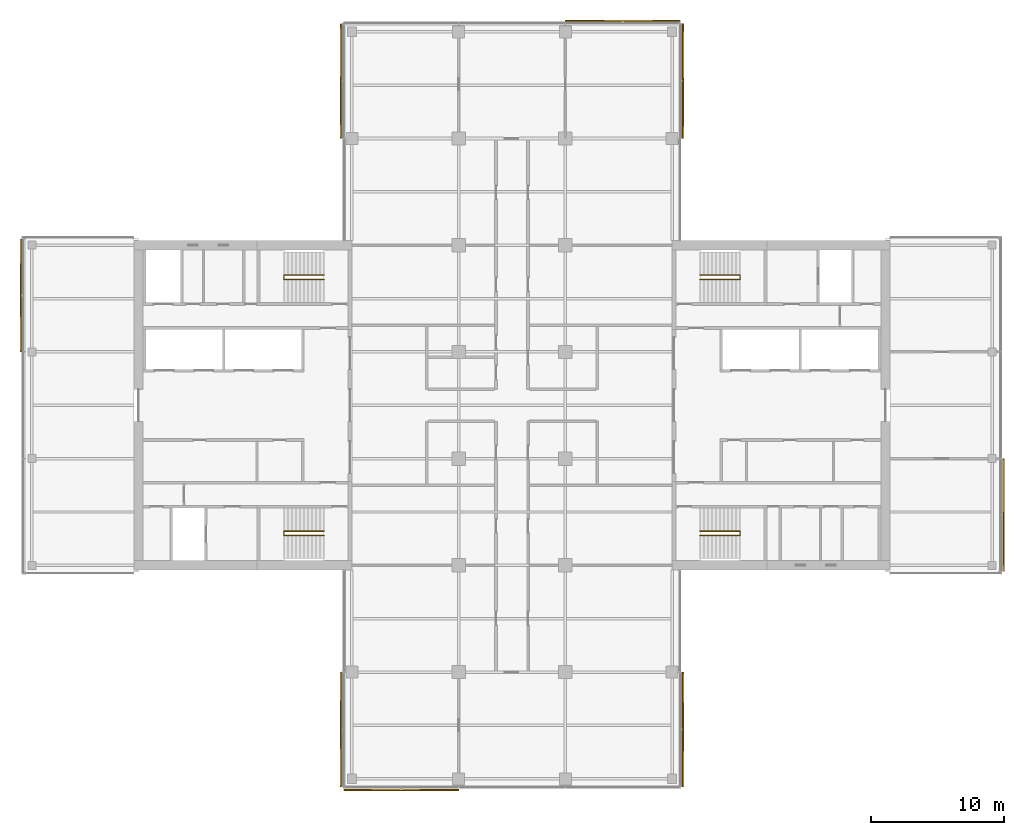
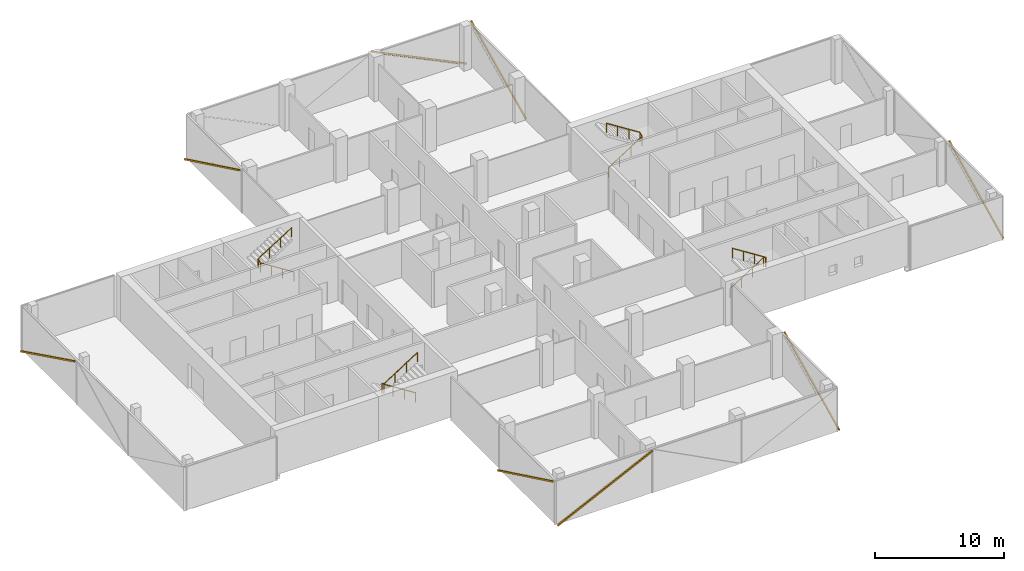
# One storey, part 22 of 22: 8 shading devices, 4 railings, 8 elements without a shape of their own.
"""IFC4 building model written with IfcOpenShell, lengths in metres."""

import ifcopenshell
import ifcopenshell.guid

model = None  # the IFC model being written
_history = None  # IfcOwnerHistory: only IFC2X3 demands one
_inside = {}  # id of a spatial element -> (the spatial element, [elements in it])
_under = {}  # id of a project, library or spatial element -> (it, [spatial elements below it])
_declared = {}  # id of a project -> (the project, [libraries it declares])
_typed = {}  # id of a type object -> (the type object, [elements of that type])
_made_of = {}  # id of a material, layer set ... -> (it, [elements and type objects made of it])


def new_model(schema):
    """Start an empty IFC model of exactly this schema.

    Asked for "IFC4X3", IfcOpenShell would pick the latest addendum, in which some entities
    have other attributes; the version numbers below select the first issue.
    IFC2X3 requires an IfcOwnerHistory on every rooted entity: one is made here for all.
    """
    global model, _history
    if schema == "IFC4X3":
        model = ifcopenshell.file(schema_version=(4, 3, 0, 0))
    else:
        model = ifcopenshell.file(schema=schema)
    _inside.clear()
    _under.clear()
    _declared.clear()
    _typed.clear()
    _made_of.clear()
    _history = None
    if model.schema == "IFC2X3":
        org = make("IfcOrganization", Name="unknown")
        user = make(
            "IfcPersonAndOrganization",
            ThePerson=make("IfcPerson", FamilyName="unknown"),
            TheOrganization=org,
        )
        app = make(
            "IfcApplication",
            ApplicationDeveloper=org,
            Version="unknown",
            ApplicationFullName="unknown",
            ApplicationIdentifier="unknown",
        )
        _history = make(
            "IfcOwnerHistory",
            OwningUser=user,
            OwningApplication=app,
            ChangeAction="ADDED",
            CreationDate=0,
        )
    return model


def make(cls, **values):
    """One entity of the class cls with the attributes given. An attribute that is None is left unset."""
    return model.create_entity(
        cls, **{name: value for name, value in values.items() if value is not None}
    )


def rooted(cls, **values):
    """An entity with a GlobalId (a new one), such as an element, a storey or a relation."""
    return make(cls, GlobalId=ifcopenshell.guid.new(), OwnerHistory=_history, **values)


def si_unit(unit_type, name, prefix=None):
    """IfcSIUnit, for example si_unit("LENGTHUNIT", "METRE", prefix="MILLI")."""
    return make("IfcSIUnit", UnitType=unit_type, Prefix=prefix, Name=name)


def assignment(units):
    """IfcUnitAssignment: the units of a project."""
    return None if units is None else make("IfcUnitAssignment", Units=units)


def point(xyz):
    """IfcCartesianPoint."""
    return None if xyz is None else make("IfcCartesianPoint", Coordinates=xyz)


def direction(xyz):
    """IfcDirection."""
    return None if xyz is None else make("IfcDirection", DirectionRatios=xyz)


def frame(location, z_axis=None, x_axis=None):
    """IfcAxis2Placement3D, a coordinate frame: its origin and axes. An axis left out is left unset."""
    return make(
        "IfcAxis2Placement3D",
        Location=point(location),
        Axis=direction(z_axis),
        RefDirection=direction(x_axis),
    )


def frame_2d(location, x_axis=None):
    """IfcAxis2Placement2D, a coordinate frame in the plane: its origin and x axis."""
    return make(
        "IfcAxis2Placement2D", Location=point(location), RefDirection=direction(x_axis)
    )


def origin():
    """The frame at (0, 0, 0) with its axes left unset."""
    return frame((0.0, 0.0, 0.0))


def origin_2d():
    """The frame at (0, 0) in the plane with its x axis left unset."""
    return frame_2d((0.0, 0.0))


def place(relative_to, where):
    """IfcLocalPlacement: puts the frame where relative to a parent placement (None: the world)."""
    return make(
        "IfcLocalPlacement", PlacementRelTo=relative_to, RelativePlacement=where
    )


def context(
    kind, dimensions, precision=None, world=None, true_north=None, identifier=None
):
    """IfcGeometricRepresentationContext, for example the 3D "Model" context."""
    return make(
        "IfcGeometricRepresentationContext",
        ContextIdentifier=identifier,
        ContextType=kind,
        CoordinateSpaceDimension=dimensions,
        Precision=precision,
        WorldCoordinateSystem=world,
        TrueNorth=true_north,
    )


def subcontext(parent, identifier, kind, view, scale=None):
    """IfcGeometricRepresentationSubContext, for example "Body" below "Model"."""
    return make(
        "IfcGeometricRepresentationSubContext",
        ContextIdentifier=identifier,
        ContextType=kind,
        ParentContext=parent,
        TargetScale=scale,
        TargetView=view,
    )


def project(units=None, contexts=None):
    """IfcProject with its units and contexts."""
    return rooted(
        "IfcProject",
        Name="project",
        RepresentationContexts=contexts,
        UnitsInContext=assignment(units),
    )


def spatial(cls, under=None, at=None, **own):
    """A site, building, storey or space (cls), placed at a placement, below another one or the project."""
    s = rooted(cls, ObjectPlacement=at, **own)
    if under is not None:
        _under.setdefault(under.id(), (under, []))[1].append(s)
    return s


def profile(cls, at=None, kind="AREA", **sizes):
    """A parametric profile (cls). Its sizes go by their IFC names, for example OverallWidth=200.0."""
    return make(cls, ProfileType=kind, Position=at, **sizes)


def rectangle(**sizes):
    """IfcRectangleProfileDef."""
    return profile("IfcRectangleProfileDef", **sizes)


def circle(**sizes):
    """IfcCircleProfileDef."""
    return profile("IfcCircleProfileDef", **sizes)


def extrude(swept, where, along, depth):
    """IfcExtrudedAreaSolid: the profile swept, set in the frame where, extruded along a direction by depth."""
    return make(
        "IfcExtrudedAreaSolid",
        SweptArea=swept,
        Position=where,
        ExtrudedDirection=direction(along),
        Depth=depth,
    )


def shape(context_of_items, identifier, shape_type, items):
    """IfcShapeRepresentation: the items that make up one representation, for example the "Body"."""
    return make(
        "IfcShapeRepresentation",
        ContextOfItems=context_of_items,
        RepresentationIdentifier=identifier,
        RepresentationType=shape_type,
        Items=items,
    )


def material(Name=None, Category=None):
    """IfcMaterial."""
    return make("IfcMaterial", Name=Name, Category=Category)


def material_profile(
    of_material, cross_section, Name=None, Category=None, Priority=None
):
    """IfcMaterialProfile: a cross section and its material."""
    return make(
        "IfcMaterialProfile",
        Name=Name,
        Material=of_material,
        Profile=cross_section,
        Priority=Priority,
        Category=Category,
    )


def profile_set(profiles, Name=None, composite=None):
    """IfcMaterialProfileSet."""
    return make(
        "IfcMaterialProfileSet",
        Name=Name,
        MaterialProfiles=profiles,
        CompositeProfile=composite,
    )


def made_of(thing, what):
    """Note that an element or type object is made of a material, layer set ...; save() writes the relation."""
    if what is not None:
        _made_of.setdefault(what.id(), (what, []))[1].append(thing)
    return thing


def type_object(cls, material=None, **own):
    """A type object (cls), such as IfcWallType, which elements share."""
    return made_of(rooted(cls, **own), material)


def element(
    cls,
    number,
    at=None,
    inside=None,
    cuts=None,
    type_object=None,
    material=None,
    context=None,
    identifier="Body",
    shape_type=None,
    held_by="IfcProductDefinitionShape",
    body=None,
    shapes=None,
    **own,
):
    """One element of the class cls, such as IfcWall. Its Tag is "e" and its number.

    at: its placement. inside: the storey or other place that contains it. cuts: it is an
    opening in that element (IfcRelVoidsElement). A single representation is given by context,
    identifier, shape_type and body (its items); several are given by shapes. held_by: the class
    of the entity that holds the representations. save() writes the other relations.
    """
    e = rooted(cls, Tag="e%d" % number, ObjectPlacement=at, **own)
    if body is not None:
        shapes = [shape(context, identifier, shape_type, body)]
    if shapes is not None:
        e.Representation = make(held_by, Representations=shapes)
    if inside is not None:
        _inside.setdefault(inside.id(), (inside, []))[1].append(e)
    if cuts is not None:
        rooted(
            "IfcRelVoidsElement", RelatingBuildingElement=cuts, RelatedOpeningElement=e
        )
    if type_object is not None:
        _typed.setdefault(type_object.id(), (type_object, []))[1].append(e)
    return made_of(e, material)


def aggregate(whole, parts):
    """IfcRelAggregates: a whole, such as a stair, and the parts it consists of."""
    return rooted("IfcRelAggregates", RelatingObject=whole, RelatedObjects=parts)


def save(model, path):
    """Write the relations noted so far, then the file.

    IfcRelAggregates (storeys below a building ...), IfcRelContainedInSpatialStructure (elements
    in a storey), IfcRelDefinesByType, IfcRelAssociatesMaterial and IfcRelDeclares: one each for
    every whole, place, type object, material and project.
    """
    for whole, parts in _under.values():
        aggregate(whole, parts)
    for where, things in _inside.values():
        rooted(
            "IfcRelContainedInSpatialStructure",
            RelatedElements=things,
            RelatingStructure=where,
        )
    for kind, things in _typed.values():
        rooted("IfcRelDefinesByType", RelatedObjects=things, RelatingType=kind)
    for what, things in _made_of.values():
        rooted("IfcRelAssociatesMaterial", RelatedObjects=things, RelatingMaterial=what)
    for by, libraries in _declared.values():
        rooted("IfcRelDeclares", RelatingContext=by, RelatedDefinitions=libraries)
    model.write(path)


model = new_model("IFC4")

# Units and contexts
model_context = context("Model", 3, precision=1e-05, world=origin(), true_north=direction((0.0, 1.0)))
body_context = subcontext(model_context, "Body", "Model", "MODEL_VIEW")
ifc_project = project(units=[si_unit("LENGTHUNIT", "METRE"), si_unit("AREAUNIT", "SQUARE_METRE"), si_unit("VOLUMEUNIT", "CUBIC_METRE"), si_unit("PLANEANGLEUNIT", "RADIAN"), si_unit("MASSUNIT", "GRAM", prefix="KILO")], contexts=[model_context])

# Site, building, storey
site_placement = place(None, origin())
site = spatial("IfcSite", under=ifc_project, at=site_placement, CompositionType="ELEMENT")
building_placement = place(site_placement, origin())
building = spatial("IfcBuilding", under=site, at=building_placement, Name="Crosswind Convention Tower", CompositionType="ELEMENT")
storey_placement = place(building_placement, frame((0.0, 0.0, 133.699951171875)))
storey = spatial("IfcBuildingStorey", under=building, at=storey_placement, Name="L27", CompositionType="ELEMENT", Elevation=133.699951171875)

# Railings
ifc_material_1 = material(Name="Stainless steel", Category="steel")
railing_type = type_object("IfcRailingType", Name="Stair handrail 900", PredefinedType="HANDRAIL", material=ifc_material_1)
railing_1_placement = place(storey_placement, frame((139.10009765625, 109.43994140625, 0.19091796875)))
element("IfcRailing", 1, at=railing_1_placement, inside=storey, type_object=railing_type, Name="Stair ST1 handrail L27", PredefinedType="HANDRAIL", context=body_context, shape_type="SweptSolid", body=[
    extrude(circle(Radius=0.02392578125, at=origin_2d()), frame((0.0, 0.0, 0.8759765625), z_axis=(0.843650179428, 0.0, 0.536893261973), x_axis=(0.0, 1.0, 0.0)), (0.0, 0.0, 1.0), 3.555908203125),
    extrude(circle(Radius=0.02392578125, at=origin_2d()), frame((3.0, 0.0, 2.78515625), z_axis=(0.0, 0.858819504967, 0.512278301208), x_axis=(-1.0, 0.0, 0.0)), (0.0, 0.0, 1.0), 0.372802734375),
    extrude(circle(Radius=0.02392578125, at=origin_2d()), frame((3.0, 0.320068359375, 2.97607421875), z_axis=(-0.843681277094, 0.0, 0.536844393359), x_axis=(0.0, -1.0, 0.0)), (0.0, 0.0, 1.0), 3.555908203125),
    extrude(circle(Radius=0.02099609375, at=origin_2d()), origin(), (0.0, 0.0, 1.0), 0.851806640625),
    extrude(circle(Radius=0.02099609375, at=origin_2d()), frame((1.0, 0.0, 0.636474609375)), (0.0, 0.0, 1.0), 0.851806640625),
    extrude(circle(Radius=0.02099609375, at=origin_2d()), frame((2.0, 0.0, 1.272705078125)), (0.0, 0.0, 1.0), 0.851806640625),
    extrude(circle(Radius=0.02099609375, at=origin_2d()), frame((3.0, 0.0, 1.9091796875)), (0.0, 0.0, 1.0), 0.851806640625),
    extrude(circle(Radius=0.02099609375, at=origin_2d()), frame((3.0, 0.320068359375, 2.10009765625)), (0.0, 0.0, 1.0), 0.851806640625),
    extrude(circle(Radius=0.02099609375, at=origin_2d()), frame((2.0, 0.320068359375, 2.736328125)), (0.0, 0.0, 1.0), 0.851806640625),
    extrude(circle(Radius=0.02099609375, at=origin_2d()), frame((1.0, 0.320068359375, 3.372802734375)), (0.0, 0.0, 1.0), 0.851806640625),
    extrude(circle(Radius=0.02099609375, at=origin_2d()), frame((0.0, 0.320068359375, 4.009033203125)), (0.0, 0.0, 1.0), 0.851806640625),
])
railing_2_placement = place(storey_placement, frame((139.10009765625, 90.56005859375, 0.19091796875)))
element("IfcRailing", 2, at=railing_2_placement, inside=storey, type_object=railing_type, Name="Stair ST2 handrail L27", PredefinedType="HANDRAIL", context=body_context, shape_type="SweptSolid", body=[
    extrude(circle(Radius=0.02392578125, at=origin_2d()), frame((0.0, 0.0, 0.8759765625), z_axis=(0.843650179428, 0.0, 0.536893261973), x_axis=(0.0, 1.0, 0.0)), (0.0, 0.0, 1.0), 3.555908203125),
    extrude(circle(Radius=0.02392578125, at=origin_2d()), frame((3.0, 0.0, 2.78515625), z_axis=(0.0, -0.858819504967, 0.512278301208), x_axis=(1.0, 0.0, 0.0)), (0.0, 0.0, 1.0), 0.372802734375),
    extrude(circle(Radius=0.02392578125, at=origin_2d()), frame((3.0, -0.320068359375, 2.97607421875), z_axis=(-0.843681277094, 0.0, 0.536844393359), x_axis=(0.0, -1.0, 0.0)), (0.0, 0.0, 1.0), 3.555908203125),
    extrude(circle(Radius=0.02099609375, at=origin_2d()), origin(), (0.0, 0.0, 1.0), 0.851806640625),
    extrude(circle(Radius=0.02099609375, at=origin_2d()), frame((1.0, 0.0, 0.636474609375)), (0.0, 0.0, 1.0), 0.851806640625),
    extrude(circle(Radius=0.02099609375, at=origin_2d()), frame((2.0, 0.0, 1.272705078125)), (0.0, 0.0, 1.0), 0.851806640625),
    extrude(circle(Radius=0.02099609375, at=origin_2d()), frame((3.0, 0.0, 1.9091796875)), (0.0, 0.0, 1.0), 0.851806640625),
    extrude(circle(Radius=0.02099609375, at=origin_2d()), frame((3.0, -0.320068359375, 2.10009765625)), (0.0, 0.0, 1.0), 0.851806640625),
    extrude(circle(Radius=0.02099609375, at=origin_2d()), frame((2.0, -0.320068359375, 2.736328125)), (0.0, 0.0, 1.0), 0.851806640625),
    extrude(circle(Radius=0.02099609375, at=origin_2d()), frame((1.0, -0.320068359375, 3.372802734375)), (0.0, 0.0, 1.0), 0.851806640625),
    extrude(circle(Radius=0.02099609375, at=origin_2d()), frame((0.0, -0.320068359375, 4.009033203125)), (0.0, 0.0, 1.0), 0.851806640625),
])
railing_3_placement = place(storey_placement, frame((110.89990234375, 90.56005859375, 0.19091796875)))
element("IfcRailing", 3, at=railing_3_placement, inside=storey, type_object=railing_type, Name="Stair ST3 handrail L27", PredefinedType="HANDRAIL", context=body_context, shape_type="SweptSolid", body=[
    extrude(circle(Radius=0.02392578125, at=origin_2d()), frame((0.0, 0.0, 0.8759765625), z_axis=(-0.843650179428, 0.0, 0.536893261973), x_axis=(0.0, -1.0, 0.0)), (0.0, 0.0, 1.0), 3.555908203125),
    extrude(circle(Radius=0.02392578125, at=origin_2d()), frame((-3.0, 0.0, 2.78515625), z_axis=(0.0, -0.858819504967, 0.512278301208), x_axis=(1.0, 0.0, 0.0)), (0.0, 0.0, 1.0), 0.372802734375),
    extrude(circle(Radius=0.02392578125, at=origin_2d()), frame((-3.0, -0.320068359375, 2.97607421875), z_axis=(0.843681277094, 0.0, 0.536844393359), x_axis=(0.0, 1.0, 0.0)), (0.0, 0.0, 1.0), 3.555908203125),
    extrude(circle(Radius=0.02099609375, at=origin_2d()), origin(), (0.0, 0.0, 1.0), 0.851806640625),
    extrude(circle(Radius=0.02099609375, at=origin_2d()), frame((-1.0, 0.0, 0.636474609375)), (0.0, 0.0, 1.0), 0.851806640625),
    extrude(circle(Radius=0.02099609375, at=origin_2d()), frame((-2.0, 0.0, 1.272705078125)), (0.0, 0.0, 1.0), 0.851806640625),
    extrude(circle(Radius=0.02099609375, at=origin_2d()), frame((-3.0, 0.0, 1.9091796875)), (0.0, 0.0, 1.0), 0.851806640625),
    extrude(circle(Radius=0.02099609375, at=origin_2d()), frame((-3.0, -0.320068359375, 2.10009765625)), (0.0, 0.0, 1.0), 0.851806640625),
    extrude(circle(Radius=0.02099609375, at=origin_2d()), frame((-2.0, -0.320068359375, 2.736328125)), (0.0, 0.0, 1.0), 0.851806640625),
    extrude(circle(Radius=0.02099609375, at=origin_2d()), frame((-1.0, -0.320068359375, 3.372802734375)), (0.0, 0.0, 1.0), 0.851806640625),
    extrude(circle(Radius=0.02099609375, at=origin_2d()), frame((0.0, -0.320068359375, 4.009033203125)), (0.0, 0.0, 1.0), 0.851806640625),
])
railing_4_placement = place(storey_placement, frame((110.89990234375, 109.43994140625, 0.19091796875)))
element("IfcRailing", 4, at=railing_4_placement, inside=storey, type_object=railing_type, Name="Stair ST4 handrail L27", PredefinedType="HANDRAIL", context=body_context, shape_type="SweptSolid", body=[
    extrude(circle(Radius=0.02392578125, at=origin_2d()), frame((0.0, 0.0, 0.8759765625), z_axis=(-0.843650179428, 0.0, 0.536893261973), x_axis=(0.0, -1.0, 0.0)), (0.0, 0.0, 1.0), 3.555908203125),
    extrude(circle(Radius=0.02392578125, at=origin_2d()), frame((-3.0, 0.0, 2.78515625), z_axis=(0.0, 0.858819504967, 0.512278301208), x_axis=(-1.0, 0.0, 0.0)), (0.0, 0.0, 1.0), 0.372802734375),
    extrude(circle(Radius=0.02392578125, at=origin_2d()), frame((-3.0, 0.320068359375, 2.97607421875), z_axis=(0.843681277094, 0.0, 0.536844393359), x_axis=(0.0, 1.0, 0.0)), (0.0, 0.0, 1.0), 3.555908203125),
    extrude(circle(Radius=0.02099609375, at=origin_2d()), origin(), (0.0, 0.0, 1.0), 0.851806640625),
    extrude(circle(Radius=0.02099609375, at=origin_2d()), frame((-1.0, 0.0, 0.636474609375)), (0.0, 0.0, 1.0), 0.851806640625),
    extrude(circle(Radius=0.02099609375, at=origin_2d()), frame((-2.0, 0.0, 1.272705078125)), (0.0, 0.0, 1.0), 0.851806640625),
    extrude(circle(Radius=0.02099609375, at=origin_2d()), frame((-3.0, 0.0, 1.9091796875)), (0.0, 0.0, 1.0), 0.851806640625),
    extrude(circle(Radius=0.02099609375, at=origin_2d()), frame((-3.0, 0.320068359375, 2.10009765625)), (0.0, 0.0, 1.0), 0.851806640625),
    extrude(circle(Radius=0.02099609375, at=origin_2d()), frame((-2.0, 0.320068359375, 2.736328125)), (0.0, 0.0, 1.0), 0.851806640625),
    extrude(circle(Radius=0.02099609375, at=origin_2d()), frame((-1.0, 0.320068359375, 3.372802734375)), (0.0, 0.0, 1.0), 0.851806640625),
    extrude(circle(Radius=0.02099609375, at=origin_2d()), frame((0.0, 0.320068359375, 4.009033203125)), (0.0, 0.0, 1.0), 0.851806640625),
])

# Curtain wall, shading device
ifc_material_2 = material(Name="Aluminium unitised curtain wall", Category="aluminium")
curtain_wall_type = type_object("IfcCurtainWallType", Name="OFFICE UNITISED WALL 220", PredefinedType="USERDEFINED", material=ifc_material_2)
curtain_wall_1_placement = place(storey_placement, origin())
curtain_wall_1 = element("IfcCurtainWall", 5, at=curtain_wall_1_placement, inside=storey, type_object=curtain_wall_type, Name="CW3 L27 E-TIP 1", ObjectType="UNITISED", PredefinedType="USERDEFINED")
ifc_material_3 = material(Name="Extruded terracotta", Category="masonry")
ifc_material_profile = material_profile(ifc_material_3, rectangle(XDim=0.110107421875, YDim=0.1298828125, at=origin_2d()), Name="TC 110X130")
ifc_profile_set = profile_set([ifc_material_profile], Name="Extruded terracotta")
shading_device_type = type_object("IfcShadingDeviceType", Name="TERRACOTTA BAGUETTE 130X110", PredefinedType="USERDEFINED", material=ifc_profile_set)
shading_device_1_placement = place(storey_placement, frame((161.8310546875, 87.570068359375, -0.300048828125), z_axis=(0.0, 0.89728947872, 0.44144262524), x_axis=(-1.0, 0.0, 0.0)))
shading_device_1 = element("IfcShadingDevice", 6, at=shading_device_1_placement, type_object=shading_device_type, Name="CW3 terracotta baguette 1", ObjectType="BAGUETTE", PredefinedType="USERDEFINED", context=body_context, shape_type="SweptSolid", body=[
    extrude(rectangle(XDim=0.110107421875, YDim=0.1298828125, at=origin_2d()), origin(), (0.0, 0.0, 1.0), 9.35595703125),
])
aggregate(curtain_wall_1, [shading_device_1])

curtain_wall_2_placement = place(storey_placement, origin())
curtain_wall_2 = element("IfcCurtainWall", 7, at=curtain_wall_2_placement, inside=storey, type_object=curtain_wall_type, Name="CW3 L27 N-E 1", ObjectType="UNITISED", PredefinedType="USERDEFINED")
shading_device_2_placement = place(storey_placement, frame((137.8310546875, 120.034912109375, -0.300048828125), z_axis=(0.0, 0.900248093769, 0.435377272793), x_axis=(-1.0, 0.0, 0.0)))
shading_device_2 = element("IfcShadingDevice", 8, at=shading_device_2_placement, type_object=shading_device_type, Name="CW3 terracotta baguette 1", ObjectType="BAGUETTE", PredefinedType="USERDEFINED", context=body_context, shape_type="SweptSolid", body=[
    extrude(rectangle(XDim=0.110107421875, YDim=0.1298828125, at=origin_2d()), origin(), (0.0, 0.0, 1.0), 9.486328125),
])
aggregate(curtain_wall_2, [shading_device_2])

curtain_wall_3_placement = place(storey_placement, origin())
curtain_wall_3 = element("IfcCurtainWall", 9, at=curtain_wall_3_placement, inside=storey, type_object=curtain_wall_type, Name="CW3 L27 N-TIP 1", ObjectType="UNITISED", PredefinedType="USERDEFINED")
shading_device_3_placement = place(storey_placement, frame((137.574951171875, 128.8310546875, -0.300048828125), z_axis=(-0.900248093769, 0.0, 0.435377272793), x_axis=(0.0, -1.0, 0.0)))
shading_device_3 = element("IfcShadingDevice", 10, at=shading_device_3_placement, type_object=shading_device_type, Name="CW3 terracotta baguette 1", ObjectType="BAGUETTE", PredefinedType="USERDEFINED", context=body_context, shape_type="SweptSolid", body=[
    extrude(rectangle(XDim=0.110107421875, YDim=0.1298828125, at=origin_2d()), origin(), (0.0, 0.0, 1.0), 9.486328125),
])
aggregate(curtain_wall_3, [shading_device_3])

curtain_wall_4_placement = place(storey_placement, origin())
curtain_wall_4 = element("IfcCurtainWall", 11, at=curtain_wall_4_placement, inside=storey, type_object=curtain_wall_type, Name="CW3 L27 N-W 1", ObjectType="UNITISED", PredefinedType="USERDEFINED")
shading_device_4_placement = place(storey_placement, frame((112.1689453125, 128.574951171875, -0.300048828125), z_axis=(0.0, -0.900248093769, 0.435377272793), x_axis=(1.0, 0.0, 0.0)))
shading_device_4 = element("IfcShadingDevice", 12, at=shading_device_4_placement, type_object=shading_device_type, Name="CW3 terracotta baguette 1", ObjectType="BAGUETTE", PredefinedType="USERDEFINED", context=body_context, shape_type="SweptSolid", body=[
    extrude(rectangle(XDim=0.110107421875, YDim=0.1298828125, at=origin_2d()), origin(), (0.0, 0.0, 1.0), 9.486328125),
])
aggregate(curtain_wall_4, [shading_device_4])

curtain_wall_5_placement = place(storey_placement, origin())
curtain_wall_5 = element("IfcCurtainWall", 13, at=curtain_wall_5_placement, inside=storey, type_object=curtain_wall_type, Name="CW3 L27 W-TIP 1", ObjectType="UNITISED", PredefinedType="USERDEFINED")
shading_device_5_placement = place(storey_placement, frame((88.1689453125, 112.429931640625, -0.300048828125), z_axis=(0.0, -0.89728947872, 0.44144262524), x_axis=(1.0, 0.0, 0.0)))
shading_device_5 = element("IfcShadingDevice", 14, at=shading_device_5_placement, type_object=shading_device_type, Name="CW3 terracotta baguette 1", ObjectType="BAGUETTE", PredefinedType="USERDEFINED", context=body_context, shape_type="SweptSolid", body=[
    extrude(rectangle(XDim=0.110107421875, YDim=0.1298828125, at=origin_2d()), origin(), (0.0, 0.0, 1.0), 9.35595703125),
])
aggregate(curtain_wall_5, [shading_device_5])

curtain_wall_6_placement = place(storey_placement, origin())
curtain_wall_6 = element("IfcCurtainWall", 15, at=curtain_wall_6_placement, inside=storey, type_object=curtain_wall_type, Name="CW3 L27 S-W 1", ObjectType="UNITISED", PredefinedType="USERDEFINED")
shading_device_6_placement = place(storey_placement, frame((112.1689453125, 79.965087890625, -0.300048828125), z_axis=(0.0, -0.900248093769, 0.435377272793), x_axis=(1.0, 0.0, 0.0)))
shading_device_6 = element("IfcShadingDevice", 16, at=shading_device_6_placement, type_object=shading_device_type, Name="CW3 terracotta baguette 1", ObjectType="BAGUETTE", PredefinedType="USERDEFINED", context=body_context, shape_type="SweptSolid", body=[
    extrude(rectangle(XDim=0.110107421875, YDim=0.1298828125, at=origin_2d()), origin(), (0.0, 0.0, 1.0), 9.486328125),
])
aggregate(curtain_wall_6, [shading_device_6])

curtain_wall_7_placement = place(storey_placement, origin())
curtain_wall_7 = element("IfcCurtainWall", 17, at=curtain_wall_7_placement, inside=storey, type_object=curtain_wall_type, Name="CW3 L27 S-TIP 1", ObjectType="UNITISED", PredefinedType="USERDEFINED")
shading_device_7_placement = place(storey_placement, frame((112.425048828125, 71.1689453125, -0.300048828125), z_axis=(0.900248093769, 0.0, 0.435377272793), x_axis=(0.0, 1.0, 0.0)))
shading_device_7 = element("IfcShadingDevice", 18, at=shading_device_7_placement, type_object=shading_device_type, Name="CW3 terracotta baguette 1", ObjectType="BAGUETTE", PredefinedType="USERDEFINED", context=body_context, shape_type="SweptSolid", body=[
    extrude(rectangle(XDim=0.110107421875, YDim=0.1298828125, at=origin_2d()), origin(), (0.0, 0.0, 1.0), 9.486328125),
])
aggregate(curtain_wall_7, [shading_device_7])

curtain_wall_8_placement = place(storey_placement, origin())
curtain_wall_8 = element("IfcCurtainWall", 19, at=curtain_wall_8_placement, inside=storey, type_object=curtain_wall_type, Name="CW3 L27 S-E 1", ObjectType="UNITISED", PredefinedType="USERDEFINED")
shading_device_8_placement = place(storey_placement, frame((137.8310546875, 71.425048828125, -0.300048828125), z_axis=(0.0, 0.900248093769, 0.435377272793), x_axis=(-1.0, 0.0, 0.0)))
shading_device_8 = element("IfcShadingDevice", 20, at=shading_device_8_placement, type_object=shading_device_type, Name="CW3 terracotta baguette 1", ObjectType="BAGUETTE", PredefinedType="USERDEFINED", context=body_context, shape_type="SweptSolid", body=[
    extrude(rectangle(XDim=0.110107421875, YDim=0.1298828125, at=origin_2d()), origin(), (0.0, 0.0, 1.0), 9.486328125),
])
aggregate(curtain_wall_8, [shading_device_8])

save(model, "model.ifc")
